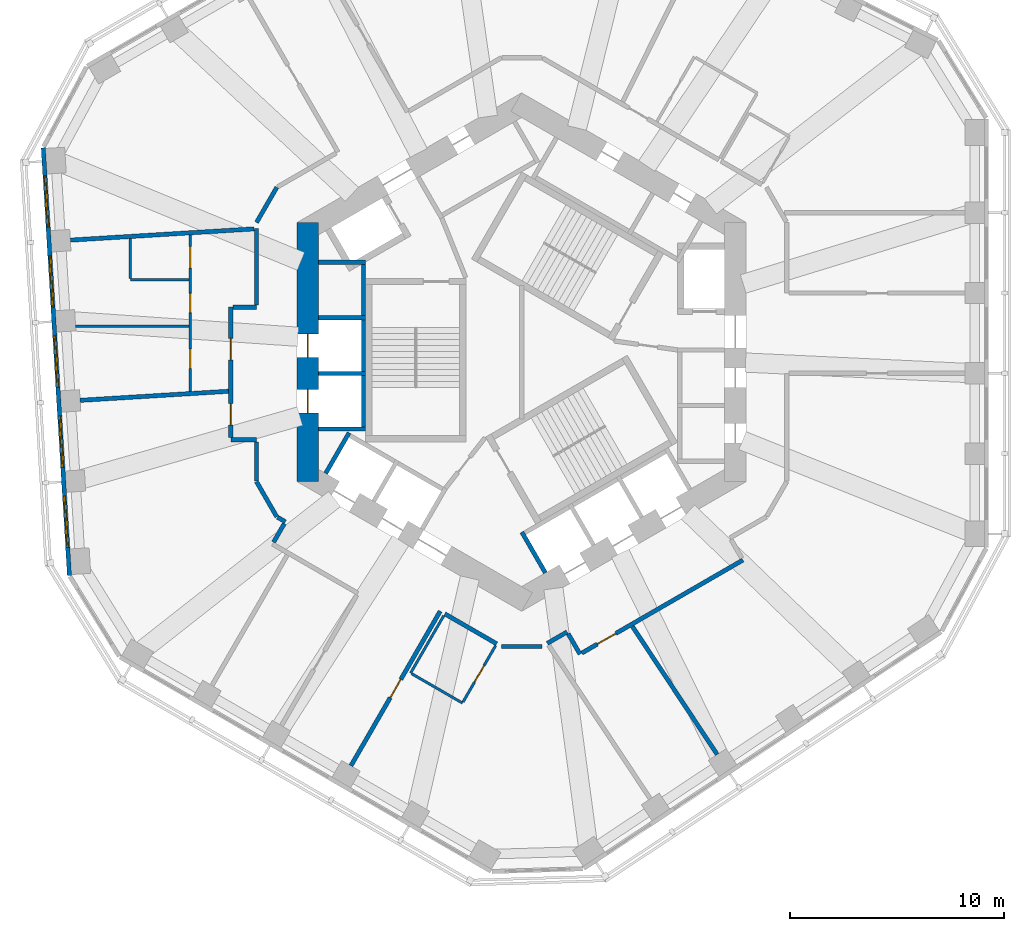
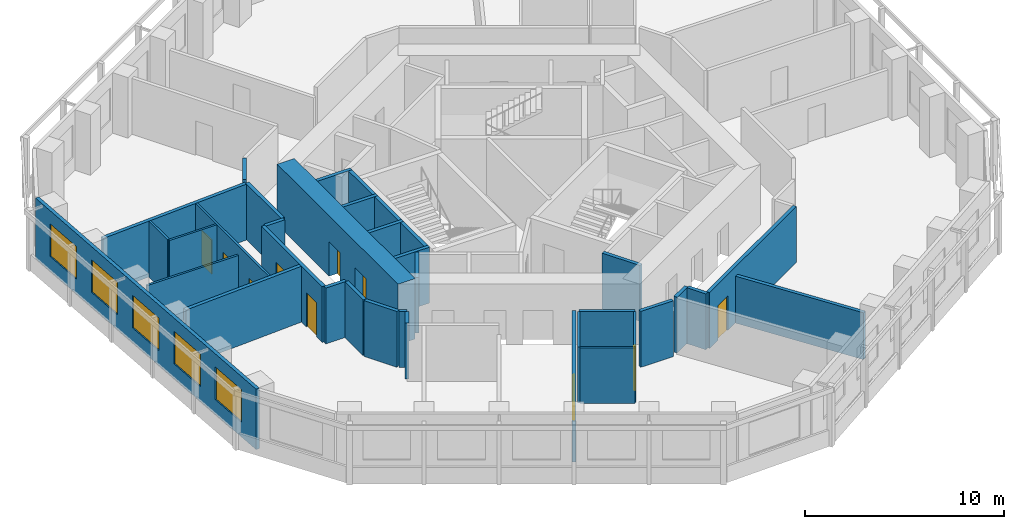
# One storey, part 4 of 10: 34 walls, 10 doors, 5 windows, 15 openings.
"""IFC4 building model written with IfcOpenShell, lengths in metres."""

from ifc_helpers import new_model, si_unit, direction, frame, frame_2d, origin, place, context, subcontext, project, spatial, rectangle, extrude, material, layer, layer_set, type_object, element, fill, save


model = new_model("IFC4")

# Units and contexts
model_context = context("Model", 3, precision=1e-05, world=origin(), true_north=direction((0.0, 1.0)))
body_context = subcontext(model_context, "Body", "Model", "MODEL_VIEW")
ifc_project = project(units=[si_unit("LENGTHUNIT", "METRE"), si_unit("AREAUNIT", "SQUARE_METRE"), si_unit("VOLUMEUNIT", "CUBIC_METRE"), si_unit("PLANEANGLEUNIT", "RADIAN"), si_unit("MASSUNIT", "GRAM", prefix="KILO")], contexts=[model_context])

# Site, building, storey
site_placement = place(None, origin())
site = spatial("IfcSite", under=ifc_project, at=site_placement, CompositionType="ELEMENT")
building_placement = place(site_placement, origin())
building = spatial("IfcBuilding", under=site, at=building_placement, Name="Vanh Sen Convention Tower", CompositionType="ELEMENT")
storey_placement = place(building_placement, frame((0.0, 0.0, 161.39990234375)))
storey = spatial("IfcBuildingStorey", under=building, at=storey_placement, Name="L39", CompositionType="ELEMENT", Elevation=161.39990234375)

# Walls
ifc_material_1 = material(Name="Moisture-resistant gypsum board on steel studs", Category="steel")
ifc_layer_1 = layer(ifc_material_1, 0.1201171875)
ifc_layer_set_1 = layer_set([ifc_layer_1], Name="Moisture-resistant gypsum board on steel studs")
wall_type_1 = type_object("IfcWallType", Name="Bathroom partition 120", PredefinedType="PARTITIONING", material=ifc_layer_set_1)
wall_1_placement = place(storey_placement, frame((-20.86279296875, 1.208251953125, 0.0), z_axis=(0.0, 0.0, 1.0), x_axis=(1.0, 0.0, 0.0)))
element("IfcWall", 1, at=wall_1_placement, inside=storey, type_object=wall_type_1, Name="Bathroom partition 120", PredefinedType="PARTITIONING", context=body_context, shape_type="SweptSolid", body=[
    extrude(rectangle(XDim=5.3017578125, YDim=0.1201171875, at=frame_2d((2.65087890625, 0.0))), origin(), (0.0, 0.0, 1.0), 2.8701171875),
])
wall_2_placement = place(storey_placement, frame((-18.301025390625, 3.379638671875, 0.0), z_axis=(0.0, 0.0, 1.0), x_axis=(1.0, 0.0, 0.0)))
element("IfcWall", 2, at=wall_2_placement, inside=storey, type_object=wall_type_1, Name="Bathroom partition 120", PredefinedType="PARTITIONING", context=body_context, shape_type="SweptSolid", body=[
    extrude(rectangle(XDim=2.739990234375, YDim=0.1201171875, at=frame_2d((1.3701171875, 0.0))), origin(), (0.0, 0.0, 1.0), 3.420166015625),
])
wall_3_placement = place(storey_placement, frame((-18.301025390625, 5.308349609375, 0.0), z_axis=(0.0, 0.0, 1.0), x_axis=(0.0, -1.0, 0.0)))
element("IfcWall", 3, at=wall_3_placement, inside=storey, type_object=wall_type_1, Name="Bathroom partition 120", PredefinedType="PARTITIONING", context=body_context, shape_type="SweptSolid", body=[
    extrude(rectangle(XDim=1.86865234375, YDim=0.1201171875, at=frame_2d((0.934326171875, 0.0))), origin(), (0.0, 0.0, 1.0), 3.420166015625),
])

# Wall, openings, doors
wall_4_placement = place(storey_placement, frame((-15.5009765625, 5.4794921875, 0.0), z_axis=(0.0, 0.0, 1.0), x_axis=(0.0, -1.0, 0.0)))
wall_4 = element("IfcWall", 4, at=wall_4_placement, inside=storey, type_object=wall_type_1, Name="Bathroom partition 120", PredefinedType="PARTITIONING", context=body_context, shape_type="SweptSolid", body=[
    extrude(rectangle(XDim=7.322265625, YDim=0.1201171875, at=frame_2d((3.6611328125, 0.0))), origin(), (0.0, 0.0, 1.0), 3.420166015625),
])
opening_1_placement = place(wall_4_placement, frame((0.550048828125, 0.0, 0.0)))
opening_1 = element("IfcOpeningElement", 5, at=opening_1_placement, cuts=wall_4, Name="Opening D38108", PredefinedType="OPENING", context=body_context, shape_type="SweptSolid", body=[
    extrude(rectangle(XDim=1.0, YDim=2.10009765625, at=frame_2d((0.5, 1.050048828125))), frame((0.0, 0.070068359375, 0.0), z_axis=(0.0, -1.0, 0.0), x_axis=(1.0, 0.0, 0.0)), (0.0, 0.0, 1.0), 0.14013671875),
])
opening_2_placement = place(wall_4_placement, frame((2.735595703125, 0.0, 0.0)))
opening_2 = element("IfcOpeningElement", 6, at=opening_2_placement, cuts=wall_4, Name="Opening D38109", PredefinedType="OPENING", context=body_context, shape_type="SweptSolid", body=[
    extrude(rectangle(XDim=0.89990234375, YDim=2.10009765625, at=frame_2d((0.449951171875, 1.050048828125))), frame((0.0, 0.070068359375, 0.0), z_axis=(0.0, -1.0, 0.0), x_axis=(1.0, 0.0, 0.0)), (0.0, 0.0, 1.0), 0.14013671875),
])
opening_3_placement = place(wall_4_placement, frame((5.3466796875, 0.0, 0.0)))
opening_3 = element("IfcOpeningElement", 7, at=opening_3_placement, cuts=wall_4, Name="Opening D38110", PredefinedType="OPENING", context=body_context, shape_type="SweptSolid", body=[
    extrude(rectangle(XDim=0.89990234375, YDim=2.10009765625, at=frame_2d((0.449951171875, 1.050048828125))), frame((0.0, 0.070068359375, 0.0), z_axis=(0.0, -1.0, 0.0), x_axis=(1.0, 0.0, 0.0)), (0.0, 0.0, 1.0), 0.14013671875),
])
ifc_material_2 = material(Name="Laminate door in steel frame", Category="steel")
door_type_1 = type_object("IfcDoorType", Name="Accessible WC door 1000", OperationType="SINGLE_SWING_LEFT", PredefinedType="DOOR", material=ifc_material_2)
door_1_placement = place(opening_1_placement, origin())
door_1 = element("IfcDoor", 8, at=door_1_placement, inside=storey, type_object=door_type_1, Name="Accessible WC door D38108", OperationType="SINGLE_SWING_LEFT", OverallHeight=2.10009765625, OverallWidth=1.0, PredefinedType="DOOR", context=body_context, shape_type="SweptSolid", body=[
    extrude(rectangle(XDim=1.0, YDim=2.10009765625, at=frame_2d((0.5, 1.050048828125))), frame((0.0, 0.02490234375, 0.0), z_axis=(0.0, -1.0, 0.0), x_axis=(1.0, 0.0, 0.0)), (0.0, 0.0, 1.0), 0.050048828125),
])
fill(opening_1, door_1)
door_type_2 = type_object("IfcDoorType", Name="Room internal door 900", OperationType="SINGLE_SWING_LEFT", PredefinedType="DOOR", material=ifc_material_2)
door_2_placement = place(opening_2_placement, origin())
door_2 = element("IfcDoor", 9, at=door_2_placement, inside=storey, type_object=door_type_2, Name="Internal room door D38109", OperationType="SINGLE_SWING_LEFT", OverallHeight=2.10009765625, OverallWidth=0.89990234375, PredefinedType="DOOR", context=body_context, shape_type="SweptSolid", body=[
    extrude(rectangle(XDim=0.89990234375, YDim=2.10009765625, at=frame_2d((0.449951171875, 1.050048828125))), frame((0.0, 0.02490234375, 0.0), z_axis=(0.0, -1.0, 0.0), x_axis=(1.0, 0.0, 0.0)), (0.0, 0.0, 1.0), 0.050048828125),
])
fill(opening_2, door_2)
door_3_placement = place(opening_3_placement, origin())
door_3 = element("IfcDoor", 10, at=door_3_placement, inside=storey, type_object=door_type_2, Name="Internal room door D38110", OperationType="SINGLE_SWING_LEFT", OverallHeight=2.10009765625, OverallWidth=0.89990234375, PredefinedType="DOOR", context=body_context, shape_type="SweptSolid", body=[
    extrude(rectangle(XDim=0.89990234375, YDim=2.10009765625, at=frame_2d((0.449951171875, 1.050048828125))), frame((0.0, 0.02490234375, 0.0), z_axis=(0.0, -1.0, 0.0), x_axis=(1.0, 0.0, 0.0)), (0.0, 0.0, 1.0), 0.050048828125),
])
fill(opening_3, door_3)

# Walls
wall_5_placement = place(storey_placement, frame((-5.192138671875, -15.015625, 0.0), z_axis=(0.0, 0.0, 1.0), x_axis=(0.500026960575, 0.86600983753, 0.0)))
element("IfcWall", 11, at=wall_5_placement, inside=storey, type_object=wall_type_1, Name="Bathroom partition 120", PredefinedType="PARTITIONING", context=body_context, shape_type="SweptSolid", body=[
    extrude(rectangle(XDim=3.099853515625, YDim=0.1201171875, at=frame_2d((1.5498046875, 0.0))), origin(), (0.0, 0.0, 1.0), 3.420166015625),
])
wall_6_placement = place(storey_placement, frame((-2.767333984375, -16.415771484375, 0.0), z_axis=(0.0, 0.0, 1.0), x_axis=(-0.865997131366, 0.500048966069, 0.0)))
element("IfcWall", 12, at=wall_6_placement, inside=storey, type_object=wall_type_1, Name="Bathroom partition 120", PredefinedType="PARTITIONING", context=body_context, shape_type="SweptSolid", body=[
    extrude(rectangle(XDim=2.739990234375, YDim=0.1201171875, at=frame_2d((1.3701171875, 0.0))), origin(), (0.0, 0.0, 1.0), 3.420166015625),
])

# Wall, opening, door
wall_7_placement = place(storey_placement, frame((-1.21728515625, -13.73095703125, 0.0), z_axis=(0.0, 0.0, 1.0), x_axis=(-0.499991248344, -0.866030456496, 0.0)))
wall_7 = element("IfcWall", 13, at=wall_7_placement, inside=storey, type_object=wall_type_1, Name="Bathroom partition 120", PredefinedType="PARTITIONING", context=body_context, shape_type="SweptSolid", body=[
    extrude(rectangle(XDim=3.0400390625, YDim=0.1201171875, at=frame_2d((1.52001953125, 0.0))), origin(), (0.0, 0.0, 1.0), 3.420166015625),
])
opening_4_placement = place(wall_7_placement, frame((1.070068359375, 0.0, 0.0)))
opening_4 = element("IfcOpeningElement", 14, at=opening_4_placement, cuts=wall_7, Name="Opening D38114", PredefinedType="OPENING", context=body_context, shape_type="SweptSolid", body=[
    extrude(rectangle(XDim=0.89990234375, YDim=2.10009765625, at=frame_2d((0.449951171875, 1.050048828125))), frame((0.0, 0.070068359375, 0.0), z_axis=(0.0, -1.0, 0.0), x_axis=(1.0, 0.0, 0.0)), (0.0, 0.0, 1.0), 0.14013671875),
])
door_4_placement = place(opening_4_placement, origin())
door_4 = element("IfcDoor", 15, at=door_4_placement, inside=storey, type_object=door_type_2, Name="Internal room door D38114", OperationType="SINGLE_SWING_LEFT", OverallHeight=2.10009765625, OverallWidth=0.89990234375, PredefinedType="DOOR", context=body_context, shape_type="SweptSolid", body=[
    extrude(rectangle(XDim=0.89990234375, YDim=2.10009765625, at=frame_2d((0.449951171875, 1.050048828125))), frame((0.0, 0.02490234375, 0.0), z_axis=(0.0, -1.0, 0.0), x_axis=(1.0, 0.0, 0.0)), (0.0, 0.0, 1.0), 0.050048828125),
])
fill(opening_4, door_4)

# Wall, openings, doors
ifc_material_3 = material(Name="Concrete C80/95", Category="concrete")
ifc_layer_2 = layer(ifc_material_3, 1.0)
ifc_layer_set_2 = layer_set([ifc_layer_2], Name="Concrete C80/95")
wall_type_2 = type_object("IfcWallType", Name="Core outer wall 1000 C80/95", PredefinedType="SHEAR", material=ifc_layer_set_2)
wall_8_placement = place(storey_placement, frame((-10.0, 6.062255859375, 0.0), z_axis=(0.0, 0.0, 1.0), x_axis=(0.0, -1.0, 0.0)))
wall_8 = element("IfcWall", 16, at=wall_8_placement, inside=storey, type_object=wall_type_2, Name="Core wall face W L39", PredefinedType="SHEAR", context=body_context, shape_type="SweptSolid", body=[
    extrude(rectangle(XDim=12.12451171875, YDim=1.0, at=frame_2d((6.062255859375, 0.0))), origin(), (0.0, 0.0, 1.0), 3.7001953125),
])
opening_5_placement = place(wall_8_placement, frame((5.212158203125, 0.0, 0.0)))
opening_5 = element("IfcOpeningElement", 17, at=opening_5_placement, cuts=wall_8, Name="Opening LD-HR1", PredefinedType="OPENING", context=body_context, shape_type="SweptSolid", body=[
    extrude(rectangle(XDim=1.10009765625, YDim=2.10009765625, at=frame_2d((0.550048828125, 1.050048828125))), frame((0.0, 0.510009765625, 0.0), z_axis=(0.0, -1.0, 0.0), x_axis=(1.0, 0.0, 0.0)), (0.0, 0.0, 1.0), 1.02001953125),
])
opening_6_placement = place(wall_8_placement, frame((7.812255859375, 0.0, 0.0)))
opening_6 = element("IfcOpeningElement", 18, at=opening_6_placement, cuts=wall_8, Name="Opening LD-HR2", PredefinedType="OPENING", context=body_context, shape_type="SweptSolid", body=[
    extrude(rectangle(XDim=1.10009765625, YDim=2.10009765625, at=frame_2d((0.550048828125, 1.050048828125))), frame((0.0, 0.510009765625, 0.0), z_axis=(0.0, -1.0, 0.0), x_axis=(1.0, 0.0, 0.0)), (0.0, 0.0, 1.0), 1.02001953125),
])
ifc_material_4 = material(Name="Stainless steel", Category="steel")
door_type_3 = type_object("IfcDoorType", Name="Lift landing door 1100", OperationType="DOUBLE_DOOR_SLIDING", PredefinedType="DOOR", material=ifc_material_4)
door_5_placement = place(opening_5_placement, origin())
door_5 = element("IfcDoor", 19, at=door_5_placement, inside=storey, type_object=door_type_3, Name="Lift HR1 landing door LD-HR1", OperationType="DOUBLE_DOOR_SLIDING", OverallHeight=2.10009765625, OverallWidth=1.10009765625, PredefinedType="DOOR", context=body_context, shape_type="SweptSolid", body=[
    extrude(rectangle(XDim=1.10009765625, YDim=2.10009765625, at=frame_2d((0.550048828125, 1.050048828125))), frame((0.0, 0.02490234375, 0.0), z_axis=(0.0, -1.0, 0.0), x_axis=(1.0, 0.0, 0.0)), (0.0, 0.0, 1.0), 0.050048828125),
])
fill(opening_5, door_5)
door_6_placement = place(opening_6_placement, origin())
door_6 = element("IfcDoor", 20, at=door_6_placement, inside=storey, type_object=door_type_3, Name="Lift HR2 landing door LD-HR2", OperationType="DOUBLE_DOOR_SLIDING", OverallHeight=2.10009765625, OverallWidth=1.10009765625, PredefinedType="DOOR", context=body_context, shape_type="SweptSolid", body=[
    extrude(rectangle(XDim=1.10009765625, YDim=2.10009765625, at=frame_2d((0.550048828125, 1.050048828125))), frame((0.0, 0.02490234375, 0.0), z_axis=(0.0, -1.0, 0.0), x_axis=(1.0, 0.0, 0.0)), (0.0, 0.0, 1.0), 0.050048828125),
])
fill(opening_6, door_6)

# Wall
ifc_material_5 = material(Name="Gypsum board on steel studs with mineral wool", Category="steel")
ifc_layer_3 = layer(ifc_material_5, 0.199951171875)
ifc_layer_set_3 = layer_set([ifc_layer_3], Name="Gypsum board on steel studs with mineral wool")
wall_type_3 = type_object("IfcWallType", Name="Corridor partition wall 200", PredefinedType="PARTITIONING", material=ifc_layer_set_3)
wall_9_placement = place(storey_placement, frame((-13.60107421875, -4.10107421875, 0.0), z_axis=(0.0, 0.0, 1.0), x_axis=(1.0, 0.0, 0.0)))
element("IfcWall", 21, at=wall_9_placement, inside=storey, type_object=wall_type_3, Name="Corridor partition wall 200", PredefinedType="PARTITIONING", context=body_context, shape_type="SweptSolid", body=[
    extrude(rectangle(XDim=1.201171875, YDim=0.199951171875, at=frame_2d((0.6005859375, 0.0))), origin(), (0.0, 0.0, 1.0), 3.420166015625),
])

# Wall, openings, doors
wall_10_placement = place(storey_placement, frame((-13.60107421875, 2.10107421875, 0.0), z_axis=(0.0, 0.0, 1.0), x_axis=(0.0, -1.0, 0.0)))
wall_10 = element("IfcWall", 22, at=wall_10_placement, inside=storey, type_object=wall_type_3, Name="Corridor partition wall 200", PredefinedType="PARTITIONING", context=body_context, shape_type="SweptSolid", body=[
    extrude(rectangle(XDim=6.10205078125, YDim=0.199951171875, at=frame_2d((3.051025390625, 0.0))), origin(), (0.0, 0.0, 1.0), 3.420166015625),
])
opening_7_placement = place(wall_10_placement, frame((1.4638671875, 0.0, 0.0)))
opening_7 = element("IfcOpeningElement", 23, at=opening_7_placement, cuts=wall_10, Name="Opening D38107", PredefinedType="OPENING", context=body_context, shape_type="SweptSolid", body=[
    extrude(rectangle(XDim=1.0, YDim=2.10009765625, at=frame_2d((0.5, 1.050048828125))), frame((0.0, 0.10986328125, 0.0), z_axis=(0.0, -1.0, 0.0), x_axis=(1.0, 0.0, 0.0)), (0.0, 0.0, 1.0), 0.219970703125),
])
opening_8_placement = place(wall_10_placement, frame((4.514892578125, 0.0, 0.0)))
opening_8 = element("IfcOpeningElement", 24, at=opening_8_placement, cuts=wall_10, Name="Opening D38111", PredefinedType="OPENING", context=body_context, shape_type="SweptSolid", body=[
    extrude(rectangle(XDim=1.0, YDim=2.10009765625, at=frame_2d((0.5, 1.050048828125))), frame((0.0, 0.10986328125, 0.0), z_axis=(0.0, -1.0, 0.0), x_axis=(1.0, 0.0, 0.0)), (0.0, 0.0, 1.0), 0.219970703125),
])
ifc_material_6 = material(Name="Timber fire door in steel frame", Category="steel")
door_type_4 = type_object("IfcDoorType", Name="Floor room door 1000", OperationType="SINGLE_SWING_LEFT", PredefinedType="DOOR", material=ifc_material_6)
door_7_placement = place(opening_7_placement, origin())
door_7 = element("IfcDoor", 25, at=door_7_placement, inside=storey, type_object=door_type_4, Name="Meeting and amenity room door D38107", OperationType="SINGLE_SWING_LEFT", OverallHeight=2.10009765625, OverallWidth=1.0, PredefinedType="DOOR", context=body_context, shape_type="SweptSolid", body=[
    extrude(rectangle(XDim=1.0, YDim=2.10009765625, at=frame_2d((0.5, 1.050048828125))), frame((0.0, 0.02490234375, 0.0), z_axis=(0.0, -1.0, 0.0), x_axis=(1.0, 0.0, 0.0)), (0.0, 0.0, 1.0), 0.050048828125),
])
fill(opening_7, door_7)
ifc_material_7 = material(Name="Glazed fire door in steel frame", Category="steel")
door_type_5 = type_object("IfcDoorType", Name="Tenant entrance door 1000", OperationType="SINGLE_SWING_LEFT", PredefinedType="DOOR", material=ifc_material_7)
door_8_placement = place(opening_8_placement, origin())
door_8 = element("IfcDoor", 26, at=door_8_placement, inside=storey, type_object=door_type_5, Name="Tenant suite entrance door D38111", OperationType="SINGLE_SWING_LEFT", OverallHeight=2.10009765625, OverallWidth=1.0, PredefinedType="DOOR", context=body_context, shape_type="SweptSolid", body=[
    extrude(rectangle(XDim=1.0, YDim=2.10009765625, at=frame_2d((0.5, 1.050048828125))), frame((0.0, 0.02490234375, 0.0), z_axis=(0.0, -1.0, 0.0), x_axis=(1.0, 0.0, 0.0)), (0.0, 0.0, 1.0), 0.050048828125),
])
fill(opening_8, door_8)

# Walls
wall_11_placement = place(storey_placement, frame((-12.39990234375, -6.062255859375, 0.0), z_axis=(0.0, 0.0, 1.0), x_axis=(0.500022797313, -0.86601224135, 0.0)))
element("IfcWall", 27, at=wall_11_placement, inside=storey, type_object=wall_type_3, Name="Corridor partition wall 200", PredefinedType="PARTITIONING", context=body_context, shape_type="SweptSolid", body=[
    extrude(rectangle(XDim=1.89990234375, YDim=0.199951171875, at=frame_2d((0.949951171875, 0.0))), origin(), (0.0, 0.0, 1.0), 3.420166015625),
])
wall_12_placement = place(storey_placement, frame((-12.39990234375, -4.200927734375, 0.0), z_axis=(0.0, 0.0, 1.0), x_axis=(0.0, -1.0, 0.0)))
element("IfcWall", 28, at=wall_12_placement, inside=storey, type_object=wall_type_3, Name="Corridor partition wall 200", PredefinedType="PARTITIONING", context=body_context, shape_type="SweptSolid", body=[
    extrude(rectangle(XDim=1.8212890625, YDim=0.199951171875, at=frame_2d((0.91064453125, 0.0))), origin(), (0.0, 0.0, 1.0), 3.420166015625),
])
wall_13_placement = place(storey_placement, frame((-12.39990234375, 2.10107421875, 0.0), z_axis=(0.0, 0.0, 1.0), x_axis=(-1.0, 0.0, 0.0)))
element("IfcWall", 29, at=wall_13_placement, inside=storey, type_object=wall_type_3, Name="Corridor partition wall 200", PredefinedType="PARTITIONING", context=body_context, shape_type="SweptSolid", body=[
    extrude(rectangle(XDim=1.10107421875, YDim=0.199951171875, at=frame_2d((0.550537109375, 0.0))), origin(), (0.0, 0.0, 1.0), 3.420166015625),
])
wall_14_placement = place(storey_placement, frame((-12.39990234375, 5.769287109375, 0.0), z_axis=(0.0, 0.0, 1.0), x_axis=(0.0, -1.0, 0.0)))
element("IfcWall", 30, at=wall_14_placement, inside=storey, type_object=wall_type_3, Name="Corridor partition wall 200", PredefinedType="PARTITIONING", context=body_context, shape_type="SweptSolid", body=[
    extrude(rectangle(XDim=3.568359375, YDim=0.199951171875, at=frame_2d((1.7841796875, 0.0))), origin(), (0.0, 0.0, 1.0), 3.420166015625),
])
wall_15_placement = place(storey_placement, frame((-11.449951171875, 7.70751953125, 0.0), z_axis=(0.0, 0.0, 1.0), x_axis=(-0.500022797313, -0.86601224135, 0.0)))
element("IfcWall", 31, at=wall_15_placement, inside=storey, type_object=wall_type_3, Name="Corridor partition wall 200", PredefinedType="PARTITIONING", context=body_context, shape_type="SweptSolid", body=[
    extrude(rectangle(XDim=1.89990234375, YDim=0.199951171875, at=frame_2d((0.949951171875, 0.0))), origin(), (0.0, 0.0, 1.0), 3.420166015625),
])
wall_16_placement = place(storey_placement, frame((-11.415283203125, -7.7275390625, 0.0), z_axis=(0.0, 0.0, 1.0), x_axis=(0.865915281873, -0.500190688257, 0.0)))
element("IfcWall", 32, at=wall_16_placement, inside=storey, type_object=wall_type_3, Name="Corridor partition wall 200", PredefinedType="PARTITIONING", context=body_context, shape_type="SweptSolid", body=[
    extrude(rectangle(XDim=0.421142578125, YDim=0.199951171875, at=frame_2d((0.21044921875, 0.0))), origin(), (0.0, 0.0, 1.0), 3.420166015625),
])
wall_17_placement = place(storey_placement, frame((-11.1005859375, -8.02490234375, 0.0), z_axis=(0.0, 0.0, 1.0), x_axis=(-0.500074377092, -0.865982457891, 0.0)))
element("IfcWall", 33, at=wall_17_placement, inside=storey, type_object=wall_type_3, Name="Corridor partition wall 200", PredefinedType="PARTITIONING", context=body_context, shape_type="SweptSolid", body=[
    extrude(rectangle(XDim=1.000732421875, YDim=0.199951171875, at=frame_2d((0.50048828125, 0.0))), origin(), (0.0, 0.0, 1.0), 3.420166015625),
])

# Wall, opening, door
wall_18_placement = place(storey_placement, frame((-7.983642578125, -19.3505859375, 0.0), z_axis=(0.0, 0.0, 1.0), x_axis=(0.500010139422, 0.866019549707, 0.0)))
wall_18 = element("IfcWall", 34, at=wall_18_placement, inside=storey, type_object=wall_type_3, Name="Corridor partition wall 200", PredefinedType="PARTITIONING", context=body_context, shape_type="SweptSolid", body=[
    extrude(rectangle(XDim=8.349853515625, YDim=0.199951171875, at=frame_2d((4.1748046875, 0.0))), origin(), (0.0, 0.0, 1.0), 3.420166015625),
])
opening_9_placement = place(wall_18_placement, frame((3.675048828125, 0.0, 0.0)))
opening_9 = element("IfcOpeningElement", 35, at=opening_9_placement, cuts=wall_18, Name="Opening D38113", PredefinedType="OPENING", context=body_context, shape_type="SweptSolid", body=[
    extrude(rectangle(XDim=1.0, YDim=2.10009765625, at=frame_2d((0.5, 1.050048828125))), frame((0.0, 0.10986328125, 0.0), z_axis=(0.0, -1.0, 0.0), x_axis=(1.0, 0.0, 0.0)), (0.0, 0.0, 1.0), 0.219970703125),
])
door_9_placement = place(opening_9_placement, origin())
door_9 = element("IfcDoor", 36, at=door_9_placement, inside=storey, type_object=door_type_5, Name="Tenant suite entrance door D38113", OperationType="SINGLE_SWING_LEFT", OverallHeight=2.10009765625, OverallWidth=1.0, PredefinedType="DOOR", context=body_context, shape_type="SweptSolid", body=[
    extrude(rectangle(XDim=1.0, YDim=2.10009765625, at=frame_2d((0.5, 1.050048828125))), frame((0.0, 0.02490234375, 0.0), z_axis=(0.0, -1.0, 0.0), x_axis=(1.0, 0.0, 0.0)), (0.0, 0.0, 1.0), 0.050048828125),
])
fill(opening_9, door_9)

# Walls
wall_19_placement = place(storey_placement, frame((-3.592041015625, -12.244384765625, 0.0), z_axis=(0.0, 0.0, 1.0), x_axis=(0.866034573852, -0.49998411664, 0.0)))
element("IfcWall", 37, at=wall_19_placement, inside=storey, type_object=wall_type_3, Name="Corridor partition wall 200", PredefinedType="PARTITIONING", context=body_context, shape_type="SweptSolid", body=[
    extrude(rectangle(XDim=2.7998046875, YDim=0.199951171875, at=frame_2d((1.39990234375, 0.0))), origin(), (0.0, 0.0, 1.0), 3.420166015625),
])
wall_20_placement = place(storey_placement, frame((-0.949951171875, -13.769775390625, 0.0), z_axis=(0.0, 0.0, 1.0), x_axis=(1.0, 0.0, 0.0)))
element("IfcWall", 38, at=wall_20_placement, inside=storey, type_object=wall_type_3, Name="Corridor partition wall 200", PredefinedType="PARTITIONING", context=body_context, shape_type="SweptSolid", body=[
    extrude(rectangle(XDim=1.89990234375, YDim=0.199951171875, at=frame_2d((0.949951171875, 0.0))), origin(), (0.0, 0.0, 1.0), 3.420166015625),
])
wall_21_placement = place(storey_placement, frame((1.20361328125, -13.623291015625, 0.0), z_axis=(0.0, 0.0, 1.0), x_axis=(0.866040989419, 0.499973003918, 0.0)))
element("IfcWall", 39, at=wall_21_placement, inside=storey, type_object=wall_type_3, Name="Corridor partition wall 200", PredefinedType="PARTITIONING", context=body_context, shape_type="SweptSolid", body=[
    extrude(rectangle(XDim=1.068359375, YDim=0.199951171875, at=frame_2d((0.5341796875, 0.0))), origin(), (0.0, 0.0, 1.0), 3.420166015625),
])
wall_22_placement = place(storey_placement, frame((2.1787109375, -13.17578125, 0.0), z_axis=(0.0, 0.0, 1.0), x_axis=(0.499978356969, -0.866037899034, 0.0)))
element("IfcWall", 40, at=wall_22_placement, inside=storey, type_object=wall_type_3, Name="Corridor partition wall 200", PredefinedType="PARTITIONING", context=body_context, shape_type="SweptSolid", body=[
    extrude(rectangle(XDim=1.10107421875, YDim=0.199951171875, at=frame_2d((0.550537109375, 0.0))), origin(), (0.0, 0.0, 1.0), 3.420166015625),
])

# Wall, opening, door
wall_23_placement = place(storey_placement, frame((2.81591796875, -14.079345703125, 0.0), z_axis=(0.0, 0.0, 1.0), x_axis=(0.866021128829, 0.500007404367, 0.0)))
wall_23 = element("IfcWall", 41, at=wall_23_placement, inside=storey, type_object=wall_type_3, Name="Corridor partition wall 200", PredefinedType="PARTITIONING", context=body_context, shape_type="SweptSolid", body=[
    extrude(rectangle(XDim=8.701904296875, YDim=0.199951171875, at=frame_2d((4.35107421875, 0.0))), origin(), (0.0, 0.0, 1.0), 3.420166015625),
])
opening_10_placement = place(wall_23_placement, frame((0.833251953125, 0.0, 0.0)))
opening_10 = element("IfcOpeningElement", 42, at=opening_10_placement, cuts=wall_23, Name="Opening D38115", PredefinedType="OPENING", context=body_context, shape_type="SweptSolid", body=[
    extrude(rectangle(XDim=1.0, YDim=2.10009765625, at=frame_2d((0.5, 1.050048828125))), frame((0.0, 0.10986328125, 0.0), z_axis=(0.0, -1.0, 0.0), x_axis=(1.0, 0.0, 0.0)), (0.0, 0.0, 1.0), 0.219970703125),
])
door_10_placement = place(opening_10_placement, origin())
door_10 = element("IfcDoor", 43, at=door_10_placement, inside=storey, type_object=door_type_5, Name="Tenant suite entrance door D38115", OperationType="SINGLE_SWING_LEFT", OverallHeight=2.10009765625, OverallWidth=1.0, PredefinedType="DOOR", context=body_context, shape_type="SweptSolid", body=[
    extrude(rectangle(XDim=1.0, YDim=2.10009765625, at=frame_2d((0.5, 1.050048828125))), frame((0.0, 0.02490234375, 0.0), z_axis=(0.0, -1.0, 0.0), x_axis=(1.0, 0.0, 0.0)), (0.0, 0.0, 1.0), 0.050048828125),
])
fill(opening_10, door_10)

# Wall, openings, windows
ifc_material_8 = material(Name="Insulated lightweight infill wall")
ifc_layer_4 = layer(ifc_material_8, 0.199951171875)
ifc_layer_set_4 = layer_set([ifc_layer_4], Name="Insulated lightweight infill wall")
wall_type_4 = type_object("IfcWallType", Name="External wall 200", PredefinedType="STANDARD", material=ifc_layer_set_4)
wall_24_placement = place(storey_placement, frame((-22.375, 9.55712890625, 0.0), z_axis=(0.0, 0.0, 1.0), x_axis=(0.061036015339, -0.998135564356, 0.0)))
wall_24 = element("IfcWall", 44, at=wall_24_placement, inside=storey, type_object=wall_type_4, Name="External wall W L39", PredefinedType="STANDARD", context=body_context, shape_type="SweptSolid", body=[
    extrude(rectangle(XDim=20.043701171875, YDim=0.199951171875, at=frame_2d((10.02197265625, 0.0))), origin(), (0.0, 0.0, 1.0), 3.7001953125),
])
opening_11_placement = place(wall_24_placement, frame((1.312744140625, 0.0, 0.89990234375)))
opening_11 = element("IfcOpeningElement", 45, at=opening_11_placement, cuts=wall_24, Name="Opening WO1-W1", PredefinedType="OPENING", context=body_context, shape_type="SweptSolid", body=[
    extrude(rectangle(XDim=2.39990234375, YDim=2.0, at=frame_2d((1.199951171875, 1.0))), frame((0.0, 0.10986328125, 0.0), z_axis=(0.0, -1.0, 0.0), x_axis=(1.0, 0.0, 0.0)), (0.0, 0.0, 1.0), 0.219970703125),
])
opening_12_placement = place(wall_24_placement, frame((5.06689453125, 0.0, 0.89990234375)))
opening_12 = element("IfcOpeningElement", 46, at=opening_12_placement, cuts=wall_24, Name="Opening WO1-W2", PredefinedType="OPENING", context=body_context, shape_type="SweptSolid", body=[
    extrude(rectangle(XDim=2.39990234375, YDim=2.0, at=frame_2d((1.199951171875, 1.0))), frame((0.0, 0.10986328125, 0.0), z_axis=(0.0, -1.0, 0.0), x_axis=(1.0, 0.0, 0.0)), (0.0, 0.0, 1.0), 0.219970703125),
])
opening_13_placement = place(wall_24_placement, frame((8.821044921875, 0.0, 0.89990234375)))
opening_13 = element("IfcOpeningElement", 47, at=opening_13_placement, cuts=wall_24, Name="Opening WO1-W3", PredefinedType="OPENING", context=body_context, shape_type="SweptSolid", body=[
    extrude(rectangle(XDim=2.39990234375, YDim=2.0, at=frame_2d((1.199951171875, 1.0))), frame((0.0, 0.10986328125, 0.0), z_axis=(0.0, -1.0, 0.0), x_axis=(1.0, 0.0, 0.0)), (0.0, 0.0, 1.0), 0.219970703125),
])
opening_14_placement = place(wall_24_placement, frame((12.5751953125, 0.0, 0.89990234375)))
opening_14 = element("IfcOpeningElement", 48, at=opening_14_placement, cuts=wall_24, Name="Opening WO1-W4", PredefinedType="OPENING", context=body_context, shape_type="SweptSolid", body=[
    extrude(rectangle(XDim=2.39990234375, YDim=2.0, at=frame_2d((1.199951171875, 1.0))), frame((0.0, 0.10986328125, 0.0), z_axis=(0.0, -1.0, 0.0), x_axis=(1.0, 0.0, 0.0)), (0.0, 0.0, 1.0), 0.219970703125),
])
opening_15_placement = place(wall_24_placement, frame((16.329345703125, 0.0, 0.89990234375)))
opening_15 = element("IfcOpeningElement", 49, at=opening_15_placement, cuts=wall_24, Name="Opening WO1-W5", PredefinedType="OPENING", context=body_context, shape_type="SweptSolid", body=[
    extrude(rectangle(XDim=2.39990234375, YDim=2.0, at=frame_2d((1.199951171875, 1.0))), frame((0.0, 0.10986328125, 0.0), z_axis=(0.0, -1.0, 0.0), x_axis=(1.0, 0.0, 0.0)), (0.0, 0.0, 1.0), 0.219970703125),
])
ifc_material_9 = material(Name="Aluminium frame with clear low-emissivity glass", Category="aluminium")
window_type = type_object("IfcWindowType", Name="Office window 2400 x 2000", PartitioningType="SINGLE_PANEL", PredefinedType="WINDOW", material=ifc_material_9)
window_1_placement = place(opening_11_placement, origin())
window_1 = element("IfcWindow", 50, at=window_1_placement, inside=storey, type_object=window_type, Name="Window WO1-W1", OverallHeight=2.0, OverallWidth=2.39990234375, PartitioningType="SINGLE_PANEL", PredefinedType="WINDOW", context=body_context, shape_type="SweptSolid", body=[
    extrude(rectangle(XDim=2.39990234375, YDim=2.0, at=frame_2d((1.199951171875, 1.0))), frame((0.0, 0.030029296875, 0.0), z_axis=(0.0, -1.0, 0.0), x_axis=(1.0, 0.0, 0.0)), (0.0, 0.0, 1.0), 0.06005859375),
])
fill(opening_11, window_1)
window_2_placement = place(opening_12_placement, origin())
window_2 = element("IfcWindow", 51, at=window_2_placement, inside=storey, type_object=window_type, Name="Window WO1-W2", OverallHeight=2.0, OverallWidth=2.39990234375, PartitioningType="SINGLE_PANEL", PredefinedType="WINDOW", context=body_context, shape_type="SweptSolid", body=[
    extrude(rectangle(XDim=2.39990234375, YDim=2.0, at=frame_2d((1.199951171875, 1.0))), frame((0.0, 0.030029296875, 0.0), z_axis=(0.0, -1.0, 0.0), x_axis=(1.0, 0.0, 0.0)), (0.0, 0.0, 1.0), 0.06005859375),
])
fill(opening_12, window_2)
window_3_placement = place(opening_13_placement, origin())
window_3 = element("IfcWindow", 52, at=window_3_placement, inside=storey, type_object=window_type, Name="Window WO1-W3", OverallHeight=2.0, OverallWidth=2.39990234375, PartitioningType="SINGLE_PANEL", PredefinedType="WINDOW", context=body_context, shape_type="SweptSolid", body=[
    extrude(rectangle(XDim=2.39990234375, YDim=2.0, at=frame_2d((1.199951171875, 1.0))), frame((0.0, 0.030029296875, 0.0), z_axis=(0.0, -1.0, 0.0), x_axis=(1.0, 0.0, 0.0)), (0.0, 0.0, 1.0), 0.06005859375),
])
fill(opening_13, window_3)
window_4_placement = place(opening_14_placement, origin())
window_4 = element("IfcWindow", 53, at=window_4_placement, inside=storey, type_object=window_type, Name="Window WO1-W4", OverallHeight=2.0, OverallWidth=2.39990234375, PartitioningType="SINGLE_PANEL", PredefinedType="WINDOW", context=body_context, shape_type="SweptSolid", body=[
    extrude(rectangle(XDim=2.39990234375, YDim=2.0, at=frame_2d((1.199951171875, 1.0))), frame((0.0, 0.030029296875, 0.0), z_axis=(0.0, -1.0, 0.0), x_axis=(1.0, 0.0, 0.0)), (0.0, 0.0, 1.0), 0.06005859375),
])
fill(opening_14, window_4)
window_5_placement = place(opening_15_placement, origin())
window_5 = element("IfcWindow", 54, at=window_5_placement, inside=storey, type_object=window_type, Name="Window WO1-W5", OverallHeight=2.0, OverallWidth=2.39990234375, PartitioningType="SINGLE_PANEL", PredefinedType="WINDOW", context=body_context, shape_type="SweptSolid", body=[
    extrude(rectangle(XDim=2.39990234375, YDim=2.0, at=frame_2d((1.199951171875, 1.0))), frame((0.0, 0.030029296875, 0.0), z_axis=(0.0, -1.0, 0.0), x_axis=(1.0, 0.0, 0.0)), (0.0, 0.0, 1.0), 0.06005859375),
])
fill(opening_15, window_5)

# Walls
ifc_material_10 = material(Name="Concrete C40/50", Category="concrete")
ifc_layer_5 = layer(ifc_material_10, 0.199951171875)
ifc_layer_set_5 = layer_set([ifc_layer_5], Name="Concrete C40/50")
wall_type_5 = type_object("IfcWallType", Name="Lift shaft wall 200", PredefinedType="PARTITIONING", material=ifc_layer_set_5)
wall_25_placement = place(storey_placement, frame((-7.39990234375, 4.300048828125, 0.0), z_axis=(0.0, 0.0, 1.0), x_axis=(0.0, -1.0, 0.0)))
element("IfcWall", 55, at=wall_25_placement, inside=storey, type_object=wall_type_5, Name="Lift shaft wall L39", PredefinedType="PARTITIONING", context=body_context, shape_type="SweptSolid", body=[
    extrude(rectangle(XDim=8.0, YDim=0.199951171875, at=frame_2d((4.0, 0.0))), origin(), (0.0, 0.0, 1.0), 3.420166015625),
])
for number, where, z_axis, x_axis, name in (
    (56, (-7.300048828125, 4.199951171875, 0.0), (0.0, 0.0, 1.0), (-1.0, 0.0, 0.0), "Lift shaft wall L39"),
    (57, (-7.300048828125, 1.60009765625, 0.0), (0.0, 0.0, 1.0), (-1.0, 0.0, 0.0), "Lift shaft wall L39"),
    (58, (-7.300048828125, -1.0, 0.0), (0.0, 0.0, 1.0), (-1.0, 0.0, 0.0), "Lift shaft wall L39"),
    (59, (-7.300048828125, -3.60009765625, 0.0), (0.0, 0.0, 1.0), (-1.0, 0.0, 0.0), "Lift shaft wall L39"),
    (60, (-8.066650390625, -3.77197265625, 0.0), (0.0, 0.0, 1.0), (-0.50002983664, -0.866008176907, 0.0), "Lift shaft wall L39"),
    (61, (0.0126953125, -8.422119140625, 0.0), (0.0, 0.0, 1.0), (0.500077893725, -0.86598042715, 0.0), "Lift shaft wall L39"),
):
    element("IfcWall", number, at=place(storey_placement, frame(where, z_axis=z_axis, x_axis=x_axis)), inside=storey, type_object=wall_type_5, Name=name, PredefinedType="PARTITIONING", context=body_context, shape_type="SweptSolid", body=[
        extrude(rectangle(XDim=2.199951171875, YDim=0.199951171875, at=frame_2d((1.10009765625, 0.0))), origin(), (0.0, 0.0, 1.0), 3.420166015625),
    ])
ifc_layer_6 = layer(ifc_material_5, 0.199951171875)
ifc_layer_set_6 = layer_set([ifc_layer_6], Name="Gypsum board on steel studs with mineral wool")
wall_type_6 = type_object("IfcWallType", Name="Tenant suite wall 200", PredefinedType="PARTITIONING", material=ifc_layer_set_6)
wall_26_placement = place(storey_placement, frame((-21.10888671875, 5.236572265625, 0.0), z_axis=(0.0, 0.0, 1.0), x_axis=(0.998135264293, 0.061040922131, 0.0)))
element("IfcWall", 62, at=wall_26_placement, inside=storey, type_object=wall_type_6, Name="Tenant suite wall 200", PredefinedType="PARTITIONING", context=body_context, shape_type="SweptSolid", body=[
    extrude(rectangle(XDim=8.615234375, YDim=0.199951171875, at=frame_2d((4.3076171875, 0.0))), origin(), (0.0, 0.0, 1.0), 3.420166015625),
])
wall_27_placement = place(storey_placement, frame((-20.650634765625, -2.2578125, 0.0), z_axis=(0.0, 0.0, 1.0), x_axis=(0.998133960965, 0.061062230286, 0.0)))
element("IfcWall", 63, at=wall_27_placement, inside=storey, type_object=wall_type_6, Name="Tenant suite wall 200", PredefinedType="PARTITIONING", context=body_context, shape_type="SweptSolid", body=[
    extrude(rectangle(XDim=6.952880859375, YDim=0.199951171875, at=frame_2d((3.4765625, 0.0))), origin(), (0.0, 0.0, 1.0), 3.420166015625),
])
wall_28_placement = place(storey_placement, frame((9.14990234375, -18.8271484375, 0.0), z_axis=(0.0, 0.0, 1.0), x_axis=(-0.551928083938, 0.83389171369, 0.0)))
element("IfcWall", 64, at=wall_28_placement, inside=storey, type_object=wall_type_6, Name="Tenant suite wall 200", PredefinedType="PARTITIONING", context=body_context, shape_type="SweptSolid", body=[
    extrude(rectangle(XDim=7.182373046875, YDim=0.199951171875, at=frame_2d((3.59130859375, 0.0))), origin(), (0.0, 0.0, 1.0), 2.8701171875),
])

save(model, "model.ifc")
